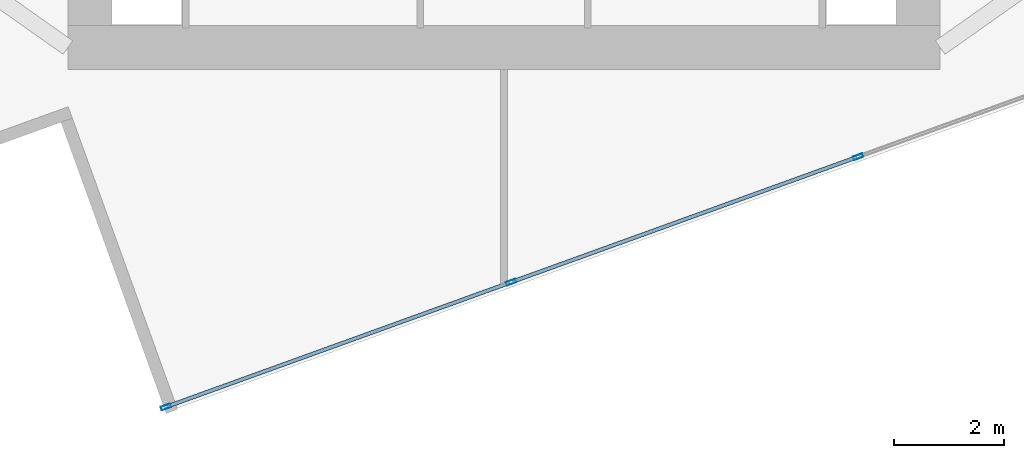
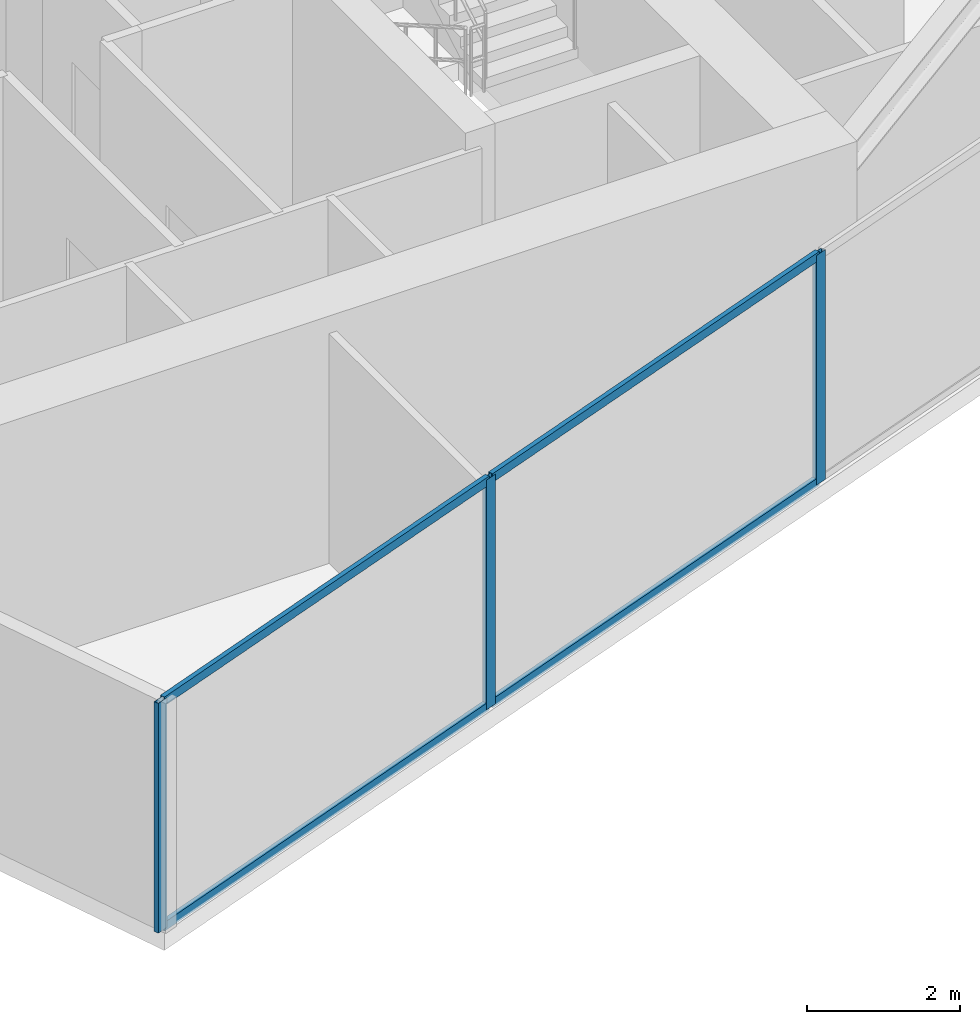
# One storey, part 3 of 21: 7 members, 1 element without a shape of its own.
"""IFC4 building model written with IfcOpenShell, lengths in metres."""

from ifc_helpers import new_model, si_unit, direction, frame, origin, origin_2d, place, context, subcontext, project, spatial, hollow_rectangle, extrude, source, transform, mapped, material, material_profile, profile_set, type_object, type_shapes, element, aggregate, save


model = new_model("IFC4")

# Units and contexts
model_context = context("Model", 3, precision=1e-05, world=origin(), true_north=direction((0.0, 1.0)))
body_context = subcontext(model_context, "Body", "Model", "MODEL_VIEW")
ifc_project = project(units=[si_unit("LENGTHUNIT", "METRE"), si_unit("AREAUNIT", "SQUARE_METRE"), si_unit("VOLUMEUNIT", "CUBIC_METRE"), si_unit("PLANEANGLEUNIT", "RADIAN"), si_unit("MASSUNIT", "GRAM", prefix="KILO")], contexts=[model_context])

# Site, building, storey
site_placement = place(None, origin())
site = spatial("IfcSite", under=ifc_project, at=site_placement, CompositionType="ELEMENT")
building_placement = place(site_placement, origin())
building = spatial("IfcBuilding", under=site, at=building_placement, Name="Krantzveldt Concourse Tower", CompositionType="ELEMENT")
storey_placement = place(building_placement, frame((0.0, 0.0, 331.64990234375)))
storey = spatial("IfcBuildingStorey", under=building, at=storey_placement, Name="L81", CompositionType="ELEMENT", Elevation=331.64990234375)

# Curtain wall, members
ifc_material = material(Name="Anodised aluminium 6063-T6", Category="aluminium")
curtain_wall_type = type_object("IfcCurtainWallType", Name="CW4", PredefinedType="USERDEFINED", material=ifc_material)
curtain_wall_placement = place(storey_placement, origin())
curtain_wall = element("IfcCurtainWall", 1, at=curtain_wall_placement, inside=storey, type_object=curtain_wall_type, Name="CW-L81-F07", ObjectType="UNITISED CURTAIN WALL", PredefinedType="USERDEFINED")
ifc_material_profile_1 = material_profile(ifc_material, hollow_rectangle(XDim=0.070068359375, YDim=0.179931640625, WallThickness=0.0048828125, at=origin_2d()), Name="Anodised aluminium 6063-T6", Category="aluminium")
ifc_profile_set_1 = profile_set([ifc_material_profile_1], Name="Anodised aluminium 6063-T6 - ALU-MULL 180x70x5")
member_type_1 = type_object("IfcMemberType", Name="CW-MUL-180", PredefinedType="MULLION", material=ifc_profile_set_1)
shared_shape_1 = source(origin(), body_context, "Body", "SweptSolid", [
    extrude(hollow_rectangle(XDim=0.070068359375, YDim=0.179931640625, WallThickness=0.0048828125, at=origin_2d()), origin(), (0.0, 0.0, 1.0), 3.670166015625),
])
type_shapes(member_type_1, [shared_shape_1])
member_1_placement = place(storey_placement, frame((29.85986328125, 4.37255859375, 0.0), z_axis=(0.0, 0.0, 1.0), x_axis=(-0.339969050563, 0.940436624478, 0.0)))
member_1 = element("IfcMember", 2, at=member_1_placement, type_object=member_type_1, Name="CW-Z56 mullion 1", PredefinedType="MULLION", context=body_context, shape_type="MappedRepresentation", body=[
    mapped(shared_shape_1, transform((0.0, 0.0, 0.0), x_axis=(1.0, 0.0, 0.0), y_axis=(0.0, 1.0, 0.0), z_axis=(0.0, 0.0, 1.0), scale=1.0)),
])
member_2_placement = place(storey_placement, frame((36.1279296875, 6.638671875, 0.0), z_axis=(0.0, 0.0, 1.0), x_axis=(-0.339969050563, 0.940436624478, 0.0)))
member_2 = element("IfcMember", 3, at=member_2_placement, type_object=member_type_1, Name="CW-Z56 mullion 2", PredefinedType="MULLION", context=body_context, shape_type="MappedRepresentation", body=[
    mapped(shared_shape_1, transform((0.0, 0.0, 0.0), x_axis=(1.0, 0.0, 0.0), y_axis=(0.0, 1.0, 0.0), z_axis=(0.0, 0.0, 1.0), scale=1.0)),
])
member_3_placement = place(storey_placement, frame((42.4287109375, 8.916259765625, 0.0), z_axis=(0.0, 0.0, 1.0), x_axis=(-0.339969050563, 0.940436624478, 0.0)))
member_3 = element("IfcMember", 4, at=member_3_placement, type_object=member_type_1, Name="CW-Z56 mullion 3", PredefinedType="MULLION", context=body_context, shape_type="MappedRepresentation", body=[
    mapped(shared_shape_1, transform((0.0, 0.0, 0.0), x_axis=(1.0, 0.0, 0.0), y_axis=(0.0, 1.0, 0.0), z_axis=(0.0, 0.0, 1.0), scale=1.0)),
])
ifc_material_profile_2 = material_profile(ifc_material, hollow_rectangle(XDim=0.070068359375, YDim=0.139892578125, WallThickness=0.0048828125, at=origin_2d()), Name="Anodised aluminium 6063-T6", Category="aluminium")
ifc_profile_set_2 = profile_set([ifc_material_profile_2], Name="Anodised aluminium 6063-T6 - ALU-TRAN 140x70x5")
member_type_2 = type_object("IfcMemberType", Name="CW-TRN-150", PredefinedType="USERDEFINED", material=ifc_profile_set_2)
shared_shape_2 = source(origin(), body_context, "Body", "SweptSolid", [
    extrude(hollow_rectangle(XDim=0.070068359375, YDim=0.139892578125, WallThickness=0.0048828125, at=origin_2d()), origin(), (0.0, 0.0, 1.0), 6.594970703125),
])
member_4_placement = place(storey_placement, frame((29.892822265625, 4.384521484375, 0.03515625), z_axis=(0.940431638086, 0.339982843811, 0.0), x_axis=(-0.339982843811, 0.940431638086, 0.0)))
member_4 = element("IfcMember", 5, at=member_4_placement, type_object=member_type_2, Name="CW-Z56 transom 1.1", ObjectType="TRANSOM", PredefinedType="USERDEFINED", context=body_context, shape_type="MappedRepresentation", body=[
    mapped(shared_shape_2, transform((0.0, 0.0, 0.0), x_axis=(1.0, 0.0, 0.0), y_axis=(0.0, 1.0, 0.0), z_axis=(0.0, 0.0, 1.0), scale=1.0)),
])
member_5_placement = place(storey_placement, frame((29.892822265625, 4.384521484375, 3.635009765625), z_axis=(0.940431638086, 0.339982843811, 0.0), x_axis=(-0.339982843811, 0.940431638086, 0.0)))
member_5 = element("IfcMember", 6, at=member_5_placement, type_object=member_type_2, Name="CW-Z56 transom 1.2", ObjectType="TRANSOM", PredefinedType="USERDEFINED", context=body_context, shape_type="MappedRepresentation", body=[
    mapped(shared_shape_2, transform((0.0, 0.0, 0.0), x_axis=(1.0, 0.0, 0.0), y_axis=(0.0, 1.0, 0.0), z_axis=(0.0, 0.0, 1.0), scale=1.0)),
])
shared_shape_3 = source(origin(), body_context, "Body", "SweptSolid", [
    extrude(hollow_rectangle(XDim=0.070068359375, YDim=0.139892578125, WallThickness=0.0048828125, at=origin_2d()), origin(), (0.0, 0.0, 1.0), 6.630126953125),
])
type_shapes(member_type_2, [shared_shape_2, shared_shape_3])
member_6_placement = place(storey_placement, frame((36.160888671875, 6.650390625, 0.03515625), z_axis=(0.940429341199, 0.3399891972, 0.0), x_axis=(-0.3399891972, 0.940429341199, 0.0)))
member_6 = element("IfcMember", 7, at=member_6_placement, type_object=member_type_2, Name="CW-Z56 transom 2.1", ObjectType="TRANSOM", PredefinedType="USERDEFINED", context=body_context, shape_type="MappedRepresentation", body=[
    mapped(shared_shape_3, transform((0.0, 0.0, 0.0), x_axis=(1.0, 0.0, 0.0), y_axis=(0.0, 1.0, 0.0), z_axis=(0.0, 0.0, 1.0), scale=1.0)),
])
member_7_placement = place(storey_placement, frame((36.160888671875, 6.650390625, 3.635009765625), z_axis=(0.940429341199, 0.3399891972, 0.0), x_axis=(-0.3399891972, 0.940429341199, 0.0)))
member_7 = element("IfcMember", 8, at=member_7_placement, type_object=member_type_2, Name="CW-Z56 transom 2.2", ObjectType="TRANSOM", PredefinedType="USERDEFINED", context=body_context, shape_type="MappedRepresentation", body=[
    mapped(shared_shape_3, transform((0.0, 0.0, 0.0), x_axis=(1.0, 0.0, 0.0), y_axis=(0.0, 1.0, 0.0), z_axis=(0.0, 0.0, 1.0), scale=1.0)),
])
aggregate(curtain_wall, [member_1, member_2, member_3, member_4, member_5, member_6, member_7])

save(model, "model.ifc")
